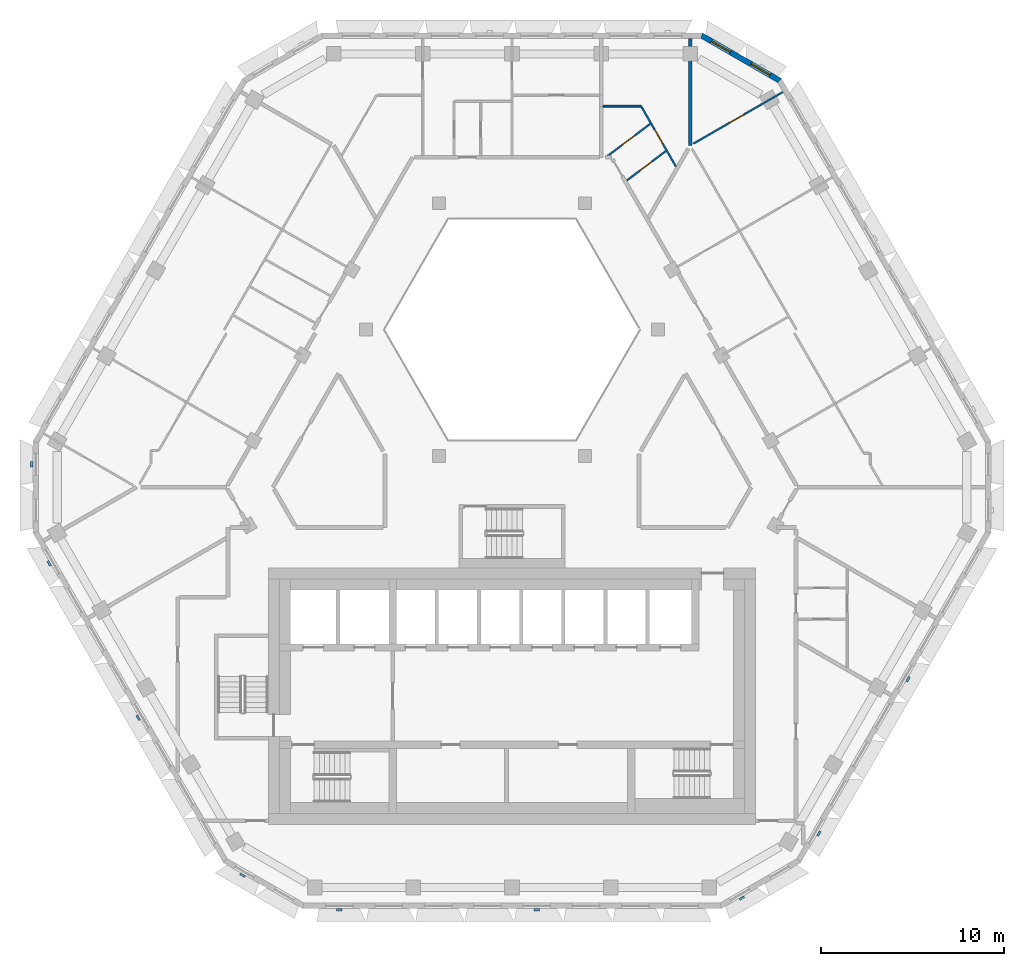
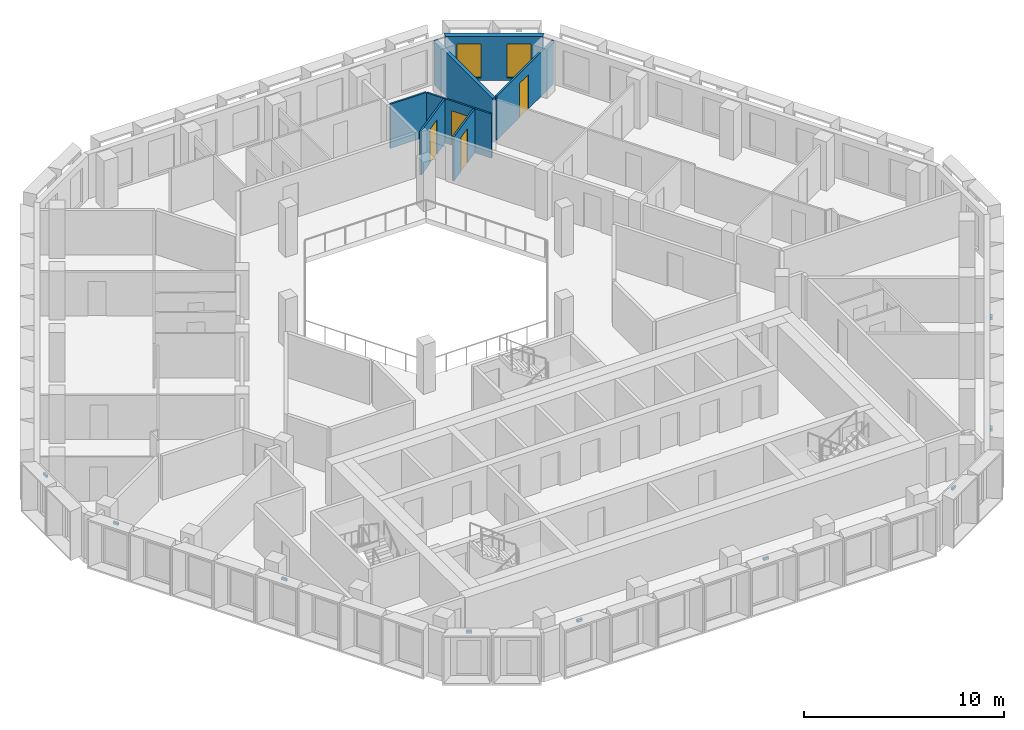
# One storey, part 9 of 17: 9 discrete accessories, 7 walls, 4 doors, 2 windows, 6 openings.
"""IFC4 building model written with IfcOpenShell, lengths in metres."""

from ifc_helpers import new_model, si_unit, direction, frame, frame_2d, origin, place, context, subcontext, project, spatial, polyline, rectangle, outline, extrude, source, transform, mapped, material, layer, layer_set, type_object, type_shapes, element, fill, save


model = new_model("IFC4")

# Units and contexts
model_context = context("Model", 3, precision=1e-05, world=origin(), true_north=direction((0.0, 1.0)))
body_context = subcontext(model_context, "Body", "Model", "MODEL_VIEW")
ifc_project = project(units=[si_unit("LENGTHUNIT", "METRE"), si_unit("AREAUNIT", "SQUARE_METRE"), si_unit("VOLUMEUNIT", "CUBIC_METRE"), si_unit("PLANEANGLEUNIT", "RADIAN"), si_unit("MASSUNIT", "GRAM", prefix="KILO")], contexts=[model_context])

# Site, building, storey
site_placement = place(None, origin())
site = spatial("IfcSite", under=ifc_project, at=site_placement, CompositionType="ELEMENT")
building_placement = place(site_placement, origin())
building = spatial("IfcBuilding", under=site, at=building_placement, Name="Beryl Residences", CompositionType="ELEMENT")
storey_placement = place(building_placement, frame((0.0, 0.0, 178.199951171875)))
storey = spatial("IfcBuildingStorey", under=building, at=storey_placement, Name="L54", CompositionType="ELEMENT", Elevation=178.199951171875)

# Wall, openings, windows
ifc_material_1 = material(Name="Composite metal panel with mineral wool insulation")
ifc_layer_1 = layer(ifc_material_1, 0.300048828125)
ifc_layer_set_1 = layer_set([ifc_layer_1], Name="ES1 pale metal composite panel wall 300 mm")
wall_type_1 = type_object("IfcWallType", Name="ES1 pale metal composite panel wall 300 mm", PredefinedType="SOLIDWALL", material=ifc_layer_set_1)
wall_1_placement = place(storey_placement, frame((14.64697265625, 21.570068359375, 0.0), z_axis=(0.0, 0.0, 1.0), x_axis=(-0.866022959057, 0.500004234368, 0.0)))
wall_1 = element("IfcWall", 1, at=wall_1_placement, inside=storey, type_object=wall_type_1, Name="ES1 external wall L54 NE-N", PredefinedType="SOLIDWALL", context=body_context, shape_type="SweptSolid", body=[
    extrude(outline(polyline([(0.0, -0.14990234375), (5.0, -0.14990234375), (4.919677734375, 0.14990234375), (0.080322265625, 0.14990234375), (0.0, -0.14990234375)])), origin(), (0.0, 0.0, 1.0), 2.699951171875),
])
opening_1_placement = place(wall_1_placement, frame((0.64990234375, 0.0, 0.14990234375)))
opening_1 = element("IfcOpeningElement", 2, at=opening_1_placement, cuts=wall_1, Name="Opening W2", PredefinedType="OPENING", context=body_context, shape_type="SweptSolid", body=[
    extrude(rectangle(XDim=1.199951171875, YDim=2.10009765625, at=frame_2d((0.60009765625, 1.050048828125))), frame((0.0, 0.159912109375, 0.0), z_axis=(0.0, -1.0, 0.0), x_axis=(1.0, 0.0, 0.0)), (0.0, 0.0, 1.0), 0.320068359375),
])
opening_2_placement = place(wall_1_placement, frame((3.14990234375, 0.0, 0.14990234375)))
opening_2 = element("IfcOpeningElement", 3, at=opening_2_placement, cuts=wall_1, Name="Opening W2", PredefinedType="OPENING", context=body_context, shape_type="SweptSolid", body=[
    extrude(rectangle(XDim=1.199951171875, YDim=2.10009765625, at=frame_2d((0.60009765625, 1.050048828125))), frame((0.0, 0.159912109375, 0.0), z_axis=(0.0, -1.0, 0.0), x_axis=(1.0, 0.0, 0.0)), (0.0, 0.0, 1.0), 0.320068359375),
])
ifc_material_2 = material(Name="Aluminium and clear glass", Category="aluminium")
window_type = type_object("IfcWindowType", Name="W2 chamfer window 1200 x 2100 mm", PartitioningType="SINGLE_PANEL", PredefinedType="WINDOW", material=ifc_material_2)
window_1_placement = place(opening_1_placement, origin())
window_1 = element("IfcWindow", 4, at=window_1_placement, inside=storey, type_object=window_type, Name="W2 window L54 NE-N 1", OverallHeight=2.10009765625, OverallWidth=1.199951171875, PartitioningType="SINGLE_PANEL", PredefinedType="WINDOW", context=body_context, shape_type="SweptSolid", body=[
    extrude(rectangle(XDim=1.199951171875, YDim=2.10009765625, at=frame_2d((0.60009765625, 1.050048828125))), frame((0.0, 0.030029296875, 0.0), z_axis=(0.0, -1.0, 0.0), x_axis=(1.0, 0.0, 0.0)), (0.0, 0.0, 1.0), 0.06005859375),
])
fill(opening_1, window_1)
window_2_placement = place(opening_2_placement, origin())
window_2 = element("IfcWindow", 5, at=window_2_placement, inside=storey, type_object=window_type, Name="W2 window L54 NE-N 2", OverallHeight=2.10009765625, OverallWidth=1.199951171875, PartitioningType="SINGLE_PANEL", PredefinedType="WINDOW", context=body_context, shape_type="SweptSolid", body=[
    extrude(rectangle(XDim=1.199951171875, YDim=2.10009765625, at=frame_2d((0.60009765625, 1.050048828125))), frame((0.0, 0.030029296875, 0.0), z_axis=(0.0, -1.0, 0.0), x_axis=(1.0, 0.0, 0.0)), (0.0, 0.0, 1.0), 0.06005859375),
])
fill(opening_2, window_2)

# Wall, opening, door
ifc_material_3 = material(Name="Gypsum board partition on steel studs", Category="steel")
ifc_layer_2 = layer(ifc_material_3, 0.10009765625)
ifc_layer_set_2 = layer_set([ifc_layer_2], Name="PT1 partition 100 mm gypsum board on steel studs")
wall_type_2 = type_object("IfcWallType", Name="PT1 partition 100 mm gypsum board on steel studs", PredefinedType="PARTITIONING", material=ifc_layer_set_2)
wall_2_placement = place(storey_placement, frame((7.072998046875, 20.14990234375, 0.0), z_axis=(0.0, 0.0, 1.0), x_axis=(0.499917691695, -0.866072919292, 0.0)))
wall_2 = element("IfcWall", 6, at=wall_2_placement, inside=storey, type_object=wall_type_2, Name="Wall PT1 L54 001", PredefinedType="PARTITIONING", context=body_context, shape_type="SweptSolid", body=[
    extrude(rectangle(XDim=3.752685546875, YDim=0.10009765625, at=frame_2d((1.87646484375, 0.0))), origin(), (0.0, 0.0, 1.0), 2.699951171875),
])
opening_3_placement = place(wall_2_placement, frame((1.431884765625, 0.0, 0.0)))
opening_3 = element("IfcOpeningElement", 7, at=opening_3_placement, cuts=wall_2, Name="Opening D1437", PredefinedType="OPENING", context=body_context, shape_type="SweptSolid", body=[
    extrude(rectangle(XDim=0.89990234375, YDim=2.10009765625, at=frame_2d((0.449951171875, 1.050048828125))), frame((0.0, 0.06005859375, 0.0), z_axis=(0.0, -1.0, 0.0), x_axis=(1.0, 0.0, 0.0)), (0.0, 0.0, 1.0), 0.1201171875),
])
ifc_material_4 = material(Name="Timber door leaf", Category="wood")
door_type_1 = type_object("IfcDoorType", Name="D2 room door 900 x 2100 mm", OperationType="SINGLE_SWING_LEFT", PredefinedType="DOOR", material=ifc_material_4)
door_1_placement = place(opening_3_placement, origin())
door_1 = element("IfcDoor", 8, at=door_1_placement, inside=storey, type_object=door_type_1, Name="Door D1437 L54 001", OperationType="SINGLE_SWING_LEFT", OverallHeight=2.10009765625, OverallWidth=0.89990234375, PredefinedType="DOOR", context=body_context, shape_type="SweptSolid", body=[
    extrude(rectangle(XDim=0.89990234375, YDim=2.10009765625, at=frame_2d((0.449951171875, 1.050048828125))), frame((0.0, 0.02490234375, 0.0), z_axis=(0.0, -1.0, 0.0), x_axis=(1.0, 0.0, 0.0)), (0.0, 0.0, 1.0), 0.050048828125),
])
fill(opening_3, door_1)

# Wall
wall_3_placement = place(storey_placement, frame((4.964111328125, 20.199951171875, 0.0), z_axis=(0.0, 0.0, 1.0), x_axis=(1.0, 0.0, 0.0)))
element("IfcWall", 9, at=wall_3_placement, inside=storey, type_object=wall_type_2, Name="Wall PT1 L54 017", PredefinedType="PARTITIONING", context=body_context, shape_type="SweptSolid", body=[
    extrude(rectangle(XDim=2.079833984375, YDim=0.10009765625, at=frame_2d((1.0400390625, 0.0))), origin(), (0.0, 0.0, 1.0), 2.699951171875),
])

# Wall, opening, door
wall_4_placement = place(storey_placement, frame((9.902099609375, 18.15087890625, 0.0), z_axis=(0.0, 0.0, 1.0), x_axis=(0.866032278734, 0.499988092049, 0.0)))
wall_4 = element("IfcWall", 10, at=wall_4_placement, inside=storey, type_object=wall_type_2, Name="Wall PT1 L54 035", PredefinedType="PARTITIONING", context=body_context, shape_type="SweptSolid", body=[
    extrude(rectangle(XDim=5.648681640625, YDim=0.10009765625, at=frame_2d((2.82421875, 0.0))), origin(), (0.0, 0.0, 1.0), 2.699951171875),
])
opening_4_placement = place(wall_4_placement, frame((2.27392578125, 0.0, 0.0)))
opening_4 = element("IfcOpeningElement", 11, at=opening_4_placement, cuts=wall_4, Name="Opening D1432", PredefinedType="OPENING", context=body_context, shape_type="SweptSolid", body=[
    extrude(rectangle(XDim=0.89990234375, YDim=2.10009765625, at=frame_2d((0.449951171875, 1.050048828125))), frame((0.0, 0.06005859375, 0.0), z_axis=(0.0, -1.0, 0.0), x_axis=(1.0, 0.0, 0.0)), (0.0, 0.0, 1.0), 0.1201171875),
])
door_2_placement = place(opening_4_placement, origin())
door_2 = element("IfcDoor", 12, at=door_2_placement, inside=storey, type_object=door_type_1, Name="Door D1432 L54 001", OperationType="SINGLE_SWING_RIGHT", OverallHeight=2.10009765625, OverallWidth=0.89990234375, PredefinedType="DOOR", context=body_context, shape_type="SweptSolid", body=[
    extrude(rectangle(XDim=0.89990234375, YDim=2.10009765625, at=frame_2d((0.449951171875, 1.050048828125))), frame((0.0, 0.02490234375, 0.0), z_axis=(0.0, -1.0, 0.0), x_axis=(1.0, 0.0, 0.0)), (0.0, 0.0, 1.0), 0.050048828125),
])
fill(opening_4, door_2)

wall_5_placement = place(storey_placement, frame((6.26904296875, 16.14208984375, 0.0), z_axis=(0.0, 0.0, 1.0), x_axis=(0.798549086509, 0.601929693931, 0.0)))
wall_5 = element("IfcWall", 13, at=wall_5_placement, inside=storey, type_object=wall_type_2, Name="Wall PT1 L54 036", PredefinedType="PARTITIONING", context=body_context, shape_type="SweptSolid", body=[
    extrude(rectangle(XDim=2.669677734375, YDim=0.10009765625, at=frame_2d((1.3349609375, 0.0))), origin(), (0.0, 0.0, 1.0), 2.699951171875),
])
opening_5_placement = place(wall_5_placement, frame((0.909912109375, 0.0, 0.0)))
opening_5 = element("IfcOpeningElement", 14, at=opening_5_placement, cuts=wall_5, Name="Opening D1436", PredefinedType="OPENING", context=body_context, shape_type="SweptSolid", body=[
    extrude(rectangle(XDim=0.800048828125, YDim=2.10009765625, at=frame_2d((0.39990234375, 1.050048828125))), frame((0.0, 0.06005859375, 0.0), z_axis=(0.0, -1.0, 0.0), x_axis=(1.0, 0.0, 0.0)), (0.0, 0.0, 1.0), 0.1201171875),
])
ifc_material_5 = material(Name="Timber door leaf", Category="wood")
door_type_2 = type_object("IfcDoorType", Name="D3 bathroom door 800 x 2100 mm", OperationType="SINGLE_SWING_LEFT", PredefinedType="DOOR", material=ifc_material_5)
door_3_placement = place(opening_5_placement, origin())
door_3 = element("IfcDoor", 15, at=door_3_placement, inside=storey, type_object=door_type_2, Name="Door D1436 L54 001", OperationType="SINGLE_SWING_RIGHT", OverallHeight=2.10009765625, OverallWidth=0.800048828125, PredefinedType="DOOR", context=body_context, shape_type="SweptSolid", body=[
    extrude(rectangle(XDim=0.800048828125, YDim=2.10009765625, at=frame_2d((0.39990234375, 1.050048828125))), frame((0.0, 0.02490234375, 0.0), z_axis=(0.0, -1.0, 0.0), x_axis=(1.0, 0.0, 0.0)), (0.0, 0.0, 1.0), 0.050048828125),
])
fill(opening_5, door_3)

wall_6_placement = place(storey_placement, frame((5.113037109375, 17.39990234375, 0.0), z_axis=(0.0, 0.0, 1.0), x_axis=(0.798718434647, 0.601704962714, 0.0)))
wall_6 = element("IfcWall", 16, at=wall_6_placement, inside=storey, type_object=wall_type_2, Name="Wall PT1 L54 037", PredefinedType="PARTITIONING", context=body_context, shape_type="SweptSolid", body=[
    extrude(rectangle(XDim=3.044677734375, YDim=0.10009765625, at=frame_2d((1.5224609375, 0.0))), origin(), (0.0, 0.0, 1.0), 2.699951171875),
])
opening_6_placement = place(wall_6_placement, frame((1.097900390625, 0.0, 0.0)))
opening_6 = element("IfcOpeningElement", 17, at=opening_6_placement, cuts=wall_6, Name="Opening D1435", PredefinedType="OPENING", context=body_context, shape_type="SweptSolid", body=[
    extrude(rectangle(XDim=0.89990234375, YDim=2.10009765625, at=frame_2d((0.449951171875, 1.050048828125))), frame((0.0, 0.06005859375, 0.0), z_axis=(0.0, -1.0, 0.0), x_axis=(1.0, 0.0, 0.0)), (0.0, 0.0, 1.0), 0.1201171875),
])
door_4_placement = place(opening_6_placement, origin())
door_4 = element("IfcDoor", 18, at=door_4_placement, inside=storey, type_object=door_type_1, Name="Door D1435 L54 001", OperationType="SINGLE_SWING_LEFT", OverallHeight=2.10009765625, OverallWidth=0.89990234375, PredefinedType="DOOR", context=body_context, shape_type="SweptSolid", body=[
    extrude(rectangle(XDim=0.89990234375, YDim=2.10009765625, at=frame_2d((0.449951171875, 1.050048828125))), frame((0.0, 0.02490234375, 0.0), z_axis=(0.0, -1.0, 0.0), x_axis=(1.0, 0.0, 0.0)), (0.0, 0.0, 1.0), 0.050048828125),
])
fill(opening_6, door_4)

# Wall
ifc_material_6 = material(Name="Acoustic double stud gypsum board wall")
ifc_layer_3 = layer(ifc_material_6, 0.199951171875)
ifc_layer_set_3 = layer_set([ifc_layer_3], Name="PT3 party wall 200 mm acoustic double stud")
wall_type_3 = type_object("IfcWallType", Name="PT3 party wall 200 mm acoustic double stud", PredefinedType="PARTITIONING", material=ifc_layer_set_3)
wall_7_placement = place(storey_placement, frame((9.72802734375, 18.049072265625, 0.0), z_axis=(0.0, 0.0, 1.0), x_axis=(0.0, 1.0, 0.0)))
element("IfcWall", 19, at=wall_7_placement, inside=storey, type_object=wall_type_3, Name="Wall PT3 L54 012", PredefinedType="PARTITIONING", context=body_context, shape_type="SweptSolid", body=[
    extrude(rectangle(XDim=5.850830078125, YDim=0.199951171875, at=frame_2d((2.92529296875, 0.0))), origin(), (0.0, 0.0, 1.0), 2.699951171875),
])

# Discrete accessories
ifc_material_7 = material(Name="Steel S355", Category="steel")
discrete_accessory_type = type_object("IfcDiscreteAccessoryType", Name="BR1 frame bracket 300 x 120 x 150 mm", PredefinedType="BRACKET", material=ifc_material_7)
shared_shape = source(origin(), body_context, "Body", "SweptSolid", [
    extrude(outline(polyline([(-0.14990234375, 0.0), (0.14990234375, 0.0), (0.14990234375, 0.1201171875), (-0.14990234375, 0.1201171875), (-0.14990234375, 0.0)])), origin(), (0.0, 0.0, 1.0), 0.14990234375),
])
type_shapes(discrete_accessory_type, [shared_shape])
for number, where, z_axis, x_axis, name in (
    (20, (-26.154052734375, 0.64990234375, 2.75), (0.0, 0.0, 1.0), (0.0, 1.0, 0.0), "BR1 bracket L54 NW-SW 1"),
    (21, (-25.212890625, -4.72802734375, 2.75), (0.0, 0.0, 1.0), (-0.5, 0.866025403784, 0.0), "BR1 bracket L54 SW 1"),
    (22, (-20.35009765625, -13.152099609375, 2.75), (0.0, 0.0, 1.0), (-0.5, 0.866025403784, 0.0), "BR1 bracket L54 SW 5"),
    (23, (-14.677978515625, -21.72509765625, 2.75), (0.0, 0.0, 1.0), (-0.866025403784, 0.5, 0.0), "BR1 bracket L54 SW-S 1"),
    (24, (-9.4208984375, -23.60009765625, 2.75), (0.0, 0.0, 1.0), (-1.0, 0.0, 0.0), "BR1 bracket L54 S 1"),
    (25, (1.346923828125, -23.60009765625, 2.75), (0.0, 0.0, 1.0), (-1.0, 0.0, 0.0), "BR1 bracket L54 S 5"),
    (26, (12.513916015625, -22.97509765625, 2.75), (0.0, 0.0, 1.0), (-0.866025403784, -0.5, 0.0), "BR1 bracket L54 S-SE 1"),
    (27, (16.700927734375, -19.471923828125, 2.75), (0.0, 0.0, 1.0), (-0.5, -0.866025403784, 0.0), "BR1 bracket L54 SE 1"),
    (28, (21.56396484375, -11.048095703125, 2.75), (0.0, 0.0, 1.0), (-0.5, -0.866025403784, 0.0), "BR1 bracket L54 SE 5"),
):
    element("IfcDiscreteAccessory", number, at=place(storey_placement, frame(where, z_axis=z_axis, x_axis=x_axis)), inside=storey, type_object=discrete_accessory_type, Name=name, PredefinedType="BRACKET", context=body_context, shape_type="MappedRepresentation", body=[
        mapped(shared_shape, transform((0.0, 0.0, 0.0))),
    ])

save(model, "model.ifc")
